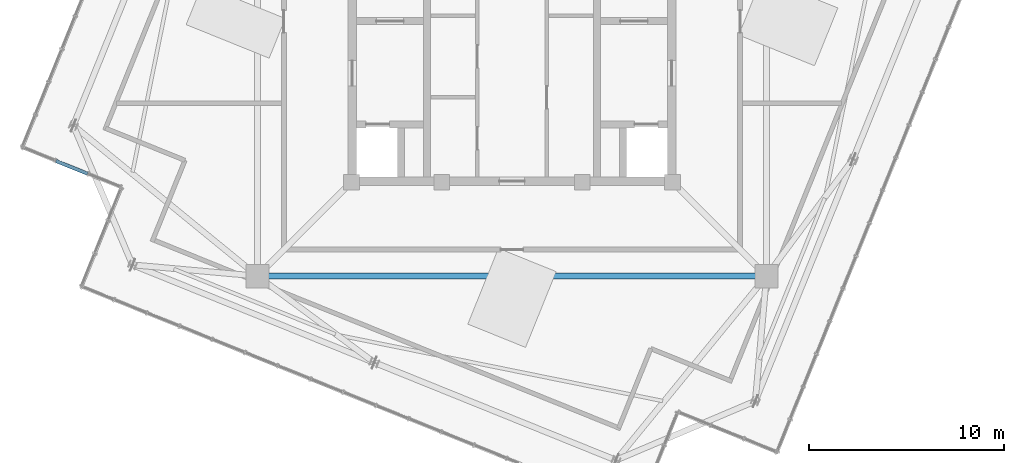
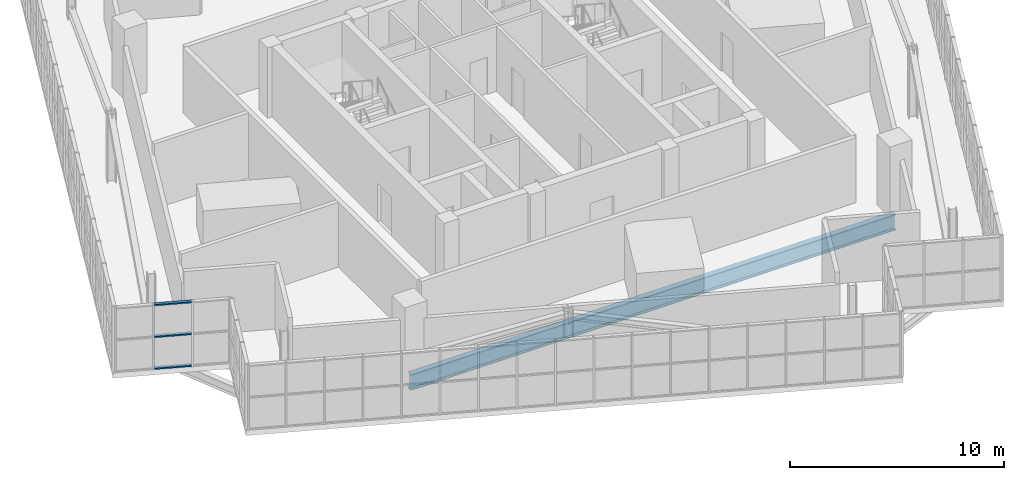
# One storey, part 5 of 26: 3 members, 1 beam, 1 element without a shape of its own.
"""IFC4 building model written with IfcOpenShell, lengths in metres."""

import ifcopenshell
import ifcopenshell.guid

model = None  # the IFC model being written
_history = None  # IfcOwnerHistory: only IFC2X3 demands one
_inside = {}  # id of a spatial element -> (the spatial element, [elements in it])
_under = {}  # id of a project, library or spatial element -> (it, [spatial elements below it])
_declared = {}  # id of a project -> (the project, [libraries it declares])
_typed = {}  # id of a type object -> (the type object, [elements of that type])
_made_of = {}  # id of a material, layer set ... -> (it, [elements and type objects made of it])


def new_model(schema):
    """Start an empty IFC model of exactly this schema.

    Asked for "IFC4X3", IfcOpenShell would pick the latest addendum, in which some entities
    have other attributes; the version numbers below select the first issue.
    IFC2X3 requires an IfcOwnerHistory on every rooted entity: one is made here for all.
    """
    global model, _history
    if schema == "IFC4X3":
        model = ifcopenshell.file(schema_version=(4, 3, 0, 0))
    else:
        model = ifcopenshell.file(schema=schema)
    _inside.clear()
    _under.clear()
    _declared.clear()
    _typed.clear()
    _made_of.clear()
    _history = None
    if model.schema == "IFC2X3":
        org = make("IfcOrganization", Name="unknown")
        user = make(
            "IfcPersonAndOrganization",
            ThePerson=make("IfcPerson", FamilyName="unknown"),
            TheOrganization=org,
        )
        app = make(
            "IfcApplication",
            ApplicationDeveloper=org,
            Version="unknown",
            ApplicationFullName="unknown",
            ApplicationIdentifier="unknown",
        )
        _history = make(
            "IfcOwnerHistory",
            OwningUser=user,
            OwningApplication=app,
            ChangeAction="ADDED",
            CreationDate=0,
        )
    return model


def make(cls, **values):
    """One entity of the class cls with the attributes given. An attribute that is None is left unset."""
    return model.create_entity(
        cls, **{name: value for name, value in values.items() if value is not None}
    )


def rooted(cls, **values):
    """An entity with a GlobalId (a new one), such as an element, a storey or a relation."""
    return make(cls, GlobalId=ifcopenshell.guid.new(), OwnerHistory=_history, **values)


def si_unit(unit_type, name, prefix=None):
    """IfcSIUnit, for example si_unit("LENGTHUNIT", "METRE", prefix="MILLI")."""
    return make("IfcSIUnit", UnitType=unit_type, Prefix=prefix, Name=name)


def assignment(units):
    """IfcUnitAssignment: the units of a project."""
    return None if units is None else make("IfcUnitAssignment", Units=units)


def point(xyz):
    """IfcCartesianPoint."""
    return None if xyz is None else make("IfcCartesianPoint", Coordinates=xyz)


def direction(xyz):
    """IfcDirection."""
    return None if xyz is None else make("IfcDirection", DirectionRatios=xyz)


def frame(location, z_axis=None, x_axis=None):
    """IfcAxis2Placement3D, a coordinate frame: its origin and axes. An axis left out is left unset."""
    return make(
        "IfcAxis2Placement3D",
        Location=point(location),
        Axis=direction(z_axis),
        RefDirection=direction(x_axis),
    )


def frame_2d(location, x_axis=None):
    """IfcAxis2Placement2D, a coordinate frame in the plane: its origin and x axis."""
    return make(
        "IfcAxis2Placement2D", Location=point(location), RefDirection=direction(x_axis)
    )


def origin():
    """The frame at (0, 0, 0) with its axes left unset."""
    return frame((0.0, 0.0, 0.0))


def origin_2d():
    """The frame at (0, 0) in the plane with its x axis left unset."""
    return frame_2d((0.0, 0.0))


def place(relative_to, where):
    """IfcLocalPlacement: puts the frame where relative to a parent placement (None: the world)."""
    return make(
        "IfcLocalPlacement", PlacementRelTo=relative_to, RelativePlacement=where
    )


def context(
    kind, dimensions, precision=None, world=None, true_north=None, identifier=None
):
    """IfcGeometricRepresentationContext, for example the 3D "Model" context."""
    return make(
        "IfcGeometricRepresentationContext",
        ContextIdentifier=identifier,
        ContextType=kind,
        CoordinateSpaceDimension=dimensions,
        Precision=precision,
        WorldCoordinateSystem=world,
        TrueNorth=true_north,
    )


def subcontext(parent, identifier, kind, view, scale=None):
    """IfcGeometricRepresentationSubContext, for example "Body" below "Model"."""
    return make(
        "IfcGeometricRepresentationSubContext",
        ContextIdentifier=identifier,
        ContextType=kind,
        ParentContext=parent,
        TargetScale=scale,
        TargetView=view,
    )


def project(units=None, contexts=None):
    """IfcProject with its units and contexts."""
    return rooted(
        "IfcProject",
        Name="project",
        RepresentationContexts=contexts,
        UnitsInContext=assignment(units),
    )


def spatial(cls, under=None, at=None, **own):
    """A site, building, storey or space (cls), placed at a placement, below another one or the project."""
    s = rooted(cls, ObjectPlacement=at, **own)
    if under is not None:
        _under.setdefault(under.id(), (under, []))[1].append(s)
    return s


def profile(cls, at=None, kind="AREA", **sizes):
    """A parametric profile (cls). Its sizes go by their IFC names, for example OverallWidth=200.0."""
    return make(cls, ProfileType=kind, Position=at, **sizes)


def hollow_rectangle(**sizes):
    """IfcRectangleHollowProfileDef."""
    return profile("IfcRectangleHollowProfileDef", **sizes)


def i_section(**sizes):
    """IfcIShapeProfileDef."""
    return profile("IfcIShapeProfileDef", **sizes)


def extrude(swept, where, along, depth):
    """IfcExtrudedAreaSolid: the profile swept, set in the frame where, extruded along a direction by depth."""
    return make(
        "IfcExtrudedAreaSolid",
        SweptArea=swept,
        Position=where,
        ExtrudedDirection=direction(along),
        Depth=depth,
    )


def shape(context_of_items, identifier, shape_type, items):
    """IfcShapeRepresentation: the items that make up one representation, for example the "Body"."""
    return make(
        "IfcShapeRepresentation",
        ContextOfItems=context_of_items,
        RepresentationIdentifier=identifier,
        RepresentationType=shape_type,
        Items=items,
    )


def source(mapping_origin, context_of_items, identifier, shape_type, items):
    """IfcRepresentationMap: a shape defined once, which mapped items show again and again."""
    return make(
        "IfcRepresentationMap",
        MappingOrigin=mapping_origin,
        MappedRepresentation=shape(context_of_items, identifier, shape_type, items),
    )


def transform(
    local_origin,
    x_axis=None,
    y_axis=None,
    z_axis=None,
    scale=None,
    scale2=None,
    scale3=None,
    uniform=True,
):
    """IfcCartesianTransformationOperator3D, or its non-uniform kind. x_axis, y_axis, z_axis: its Axis1, 2, 3."""
    if uniform:
        return make(
            "IfcCartesianTransformationOperator3D",
            Axis1=direction(x_axis),
            Axis2=direction(y_axis),
            LocalOrigin=point(local_origin),
            Scale=scale,
            Axis3=direction(z_axis),
        )
    return make(
        "IfcCartesianTransformationOperator3DnonUniform",
        Axis1=direction(x_axis),
        Axis2=direction(y_axis),
        LocalOrigin=point(local_origin),
        Scale=scale,
        Axis3=direction(z_axis),
        Scale2=scale2,
        Scale3=scale3,
    )


def mapped(mapping_source, mapping_target):
    """IfcMappedItem: shows the shape of a source again, moved by a transform."""
    return make(
        "IfcMappedItem", MappingSource=mapping_source, MappingTarget=mapping_target
    )


def material(Name=None, Category=None):
    """IfcMaterial."""
    return make("IfcMaterial", Name=Name, Category=Category)


def layer(
    of_material, thickness, ventilated=None, Name=None, Category=None, Priority=None
):
    """IfcMaterialLayer: one layer of a wall or slab, of a material (None: an air gap)."""
    return make(
        "IfcMaterialLayer",
        Material=of_material,
        LayerThickness=thickness,
        IsVentilated=ventilated,
        Name=Name,
        Category=Category,
        Priority=Priority,
    )


def layer_set(layers, Name=None):
    """IfcMaterialLayerSet."""
    return make("IfcMaterialLayerSet", MaterialLayers=layers, LayerSetName=Name)


def material_profile(
    of_material, cross_section, Name=None, Category=None, Priority=None
):
    """IfcMaterialProfile: a cross section and its material."""
    return make(
        "IfcMaterialProfile",
        Name=Name,
        Material=of_material,
        Profile=cross_section,
        Priority=Priority,
        Category=Category,
    )


def profile_set(profiles, Name=None, composite=None):
    """IfcMaterialProfileSet."""
    return make(
        "IfcMaterialProfileSet",
        Name=Name,
        MaterialProfiles=profiles,
        CompositeProfile=composite,
    )


def made_of(thing, what):
    """Note that an element or type object is made of a material, layer set ...; save() writes the relation."""
    if what is not None:
        _made_of.setdefault(what.id(), (what, []))[1].append(thing)
    return thing


def type_object(cls, material=None, **own):
    """A type object (cls), such as IfcWallType, which elements share."""
    return made_of(rooted(cls, **own), material)


def element(
    cls,
    number,
    at=None,
    inside=None,
    cuts=None,
    type_object=None,
    material=None,
    context=None,
    identifier="Body",
    shape_type=None,
    held_by="IfcProductDefinitionShape",
    body=None,
    shapes=None,
    **own,
):
    """One element of the class cls, such as IfcWall. Its Tag is "e" and its number.

    at: its placement. inside: the storey or other place that contains it. cuts: it is an
    opening in that element (IfcRelVoidsElement). A single representation is given by context,
    identifier, shape_type and body (its items); several are given by shapes. held_by: the class
    of the entity that holds the representations. save() writes the other relations.
    """
    e = rooted(cls, Tag="e%d" % number, ObjectPlacement=at, **own)
    if body is not None:
        shapes = [shape(context, identifier, shape_type, body)]
    if shapes is not None:
        e.Representation = make(held_by, Representations=shapes)
    if inside is not None:
        _inside.setdefault(inside.id(), (inside, []))[1].append(e)
    if cuts is not None:
        rooted(
            "IfcRelVoidsElement", RelatingBuildingElement=cuts, RelatedOpeningElement=e
        )
    if type_object is not None:
        _typed.setdefault(type_object.id(), (type_object, []))[1].append(e)
    return made_of(e, material)


def aggregate(whole, parts):
    """IfcRelAggregates: a whole, such as a stair, and the parts it consists of."""
    return rooted("IfcRelAggregates", RelatingObject=whole, RelatedObjects=parts)


def save(model, path):
    """Write the relations noted so far, then the file.

    IfcRelAggregates (storeys below a building ...), IfcRelContainedInSpatialStructure (elements
    in a storey), IfcRelDefinesByType, IfcRelAssociatesMaterial and IfcRelDeclares: one each for
    every whole, place, type object, material and project.
    """
    for whole, parts in _under.values():
        aggregate(whole, parts)
    for where, things in _inside.values():
        rooted(
            "IfcRelContainedInSpatialStructure",
            RelatedElements=things,
            RelatingStructure=where,
        )
    for kind, things in _typed.values():
        rooted("IfcRelDefinesByType", RelatedObjects=things, RelatingType=kind)
    for what, things in _made_of.values():
        rooted("IfcRelAssociatesMaterial", RelatedObjects=things, RelatingMaterial=what)
    for by, libraries in _declared.values():
        rooted("IfcRelDeclares", RelatingContext=by, RelatedDefinitions=libraries)
    model.write(path)


model = new_model("IFC4")

# Units and contexts
model_context = context("Model", 3, precision=1e-05, world=origin(), true_north=direction((0.0, 1.0)))
body_context = subcontext(model_context, "Body", "Model", "MODEL_VIEW")
ifc_project = project(units=[si_unit("LENGTHUNIT", "METRE"), si_unit("AREAUNIT", "SQUARE_METRE"), si_unit("VOLUMEUNIT", "CUBIC_METRE"), si_unit("PLANEANGLEUNIT", "RADIAN"), si_unit("MASSUNIT", "GRAM", prefix="KILO"), si_unit("THERMODYNAMICTEMPERATUREUNIT", "KELVIN")], contexts=[model_context])

# Site, building, storey
site_placement = place(None, origin())
site = spatial("IfcSite", under=ifc_project, at=site_placement, CompositionType="ELEMENT")
building_placement = place(site_placement, origin())
building = spatial("IfcBuilding", under=site, at=building_placement, Name="Kosmvard Interchange Tower", CompositionType="ELEMENT")
storey_placement = place(building_placement, frame((0.0, 0.0, 337.60009765625)))
storey = spatial("IfcBuildingStorey", under=building, at=storey_placement, Name="L83", CompositionType="ELEMENT", Elevation=337.60009765625)

# Beam
ifc_material_1 = material(Name="Steel S355", Category="steel")
ifc_material_profile_1 = material_profile(ifc_material_1, i_section(OverallWidth=0.300048828125, OverallDepth=0.89990234375, WebThickness=0.0185546875, FlangeThickness=0.034912109375, FilletRadius=0.030029296875, at=origin_2d()), Name="HEB 900")
ifc_profile_set_1 = profile_set([ifc_material_profile_1], Name="Steel S355")
beam_type = type_object("IfcBeamType", Name="Mega-Column Ring Girder HEB 900 S355", PredefinedType="BEAM", material=ifc_profile_set_1)
shared_shape_1 = source(origin(), body_context, "Body", "SweptSolid", [
    extrude(i_section(OverallWidth=0.300048828125, OverallDepth=0.89990234375, WebThickness=0.0185546875, FlangeThickness=0.034912109375, FilletRadius=0.030029296875, at=origin_2d()), origin(), (0.0, 0.0, 1.0), 26.162109375),
])
beam_placement = place(storey_placement, frame((-13.0810546875, -13.0810546875, -0.75), z_axis=(1.0, 0.0, 0.0), x_axis=(0.0, 1.0, 0.0)))
element("IfcBeam", 1, at=beam_placement, inside=storey, type_object=beam_type, Name="L83 Mega-Column Ring Girder 1", PredefinedType="BEAM", context=body_context, shape_type="MappedRepresentation", body=[
    mapped(shared_shape_1, transform((0.0, 0.0, 0.0), scale=1.0)),
])

# Curtain wall, members
ifc_material_2 = material(Name="Architectural anodised aluminium", Category="aluminium")
ifc_layer = layer(ifc_material_2, 0.25, Name="Architectural anodised aluminium")
ifc_layer_set = layer_set([ifc_layer], Name="Architectural anodised aluminium")
curtain_wall_type = type_object("IfcCurtainWallType", Name="CW-6 Illuminated Crown Lantern Curtain Wall", PredefinedType="NOTDEFINED", material=ifc_layer_set)
curtain_wall_placement = place(storey_placement, origin())
curtain_wall = element("IfcCurtainWall", 2, at=curtain_wall_placement, inside=storey, type_object=curtain_wall_type, Name="L83 Crown Lantern Glazing Face 08", PredefinedType="NOTDEFINED")
ifc_material_profile_2 = material_profile(ifc_material_2, hollow_rectangle(XDim=0.179931640625, YDim=0.070068359375, WallThickness=0.0048828125, at=origin_2d()), Name="CWT 180x70x5")
ifc_profile_set_2 = profile_set([ifc_material_profile_2], Name="Architectural anodised aluminium")
member_type = type_object("IfcMemberType", Name="Heavy Lantern CW Transom 180x70 Aluminium", PredefinedType="USERDEFINED", material=ifc_profile_set_2)
shared_shape_2 = source(origin(), body_context, "Body", "SweptSolid", [
    extrude(hollow_rectangle(XDim=0.179931640625, YDim=0.070068359375, WallThickness=0.0048828125, at=origin_2d()), origin(), (0.0, 0.0, 1.0), 1.75341796875),
])
member_1_placement = place(storey_placement, frame((-23.436279296875, -7.162109375, 0.034912109375), z_axis=(0.927155350429, -0.374677135907, 0.0), x_axis=(0.374677135907, 0.927155350429, 0.0)))
member_1 = element("IfcMember", 3, at=member_1_placement, type_object=member_type, Name="CW-6 transom 2.1", ObjectType="TRANSOM", PredefinedType="USERDEFINED", context=body_context, shape_type="MappedRepresentation", body=[
    mapped(shared_shape_2, transform((0.0, 0.0, 0.0), scale=1.0)),
])
member_2_placement = place(storey_placement, frame((-23.436279296875, -7.162109375, 1.849853515625), z_axis=(0.927155350429, -0.374677135907, 0.0), x_axis=(0.374677135907, 0.927155350429, 0.0)))
member_2 = element("IfcMember", 4, at=member_2_placement, type_object=member_type, Name="CW-6 transom 2.2", ObjectType="TRANSOM", PredefinedType="USERDEFINED", context=body_context, shape_type="MappedRepresentation", body=[
    mapped(shared_shape_2, transform((0.0, 0.0, 0.0), scale=1.0)),
])
member_3_placement = place(storey_placement, frame((-23.436279296875, -7.162109375, 3.664794921875), z_axis=(0.927155350429, -0.374677135907, 0.0), x_axis=(0.374677135907, 0.927155350429, 0.0)))
member_3 = element("IfcMember", 5, at=member_3_placement, type_object=member_type, Name="CW-6 transom 2.3", ObjectType="TRANSOM", PredefinedType="USERDEFINED", context=body_context, shape_type="MappedRepresentation", body=[
    mapped(shared_shape_2, transform((0.0, 0.0, 0.0), scale=1.0)),
])
aggregate(curtain_wall, [member_1, member_2, member_3])

save(model, "model.ifc")
